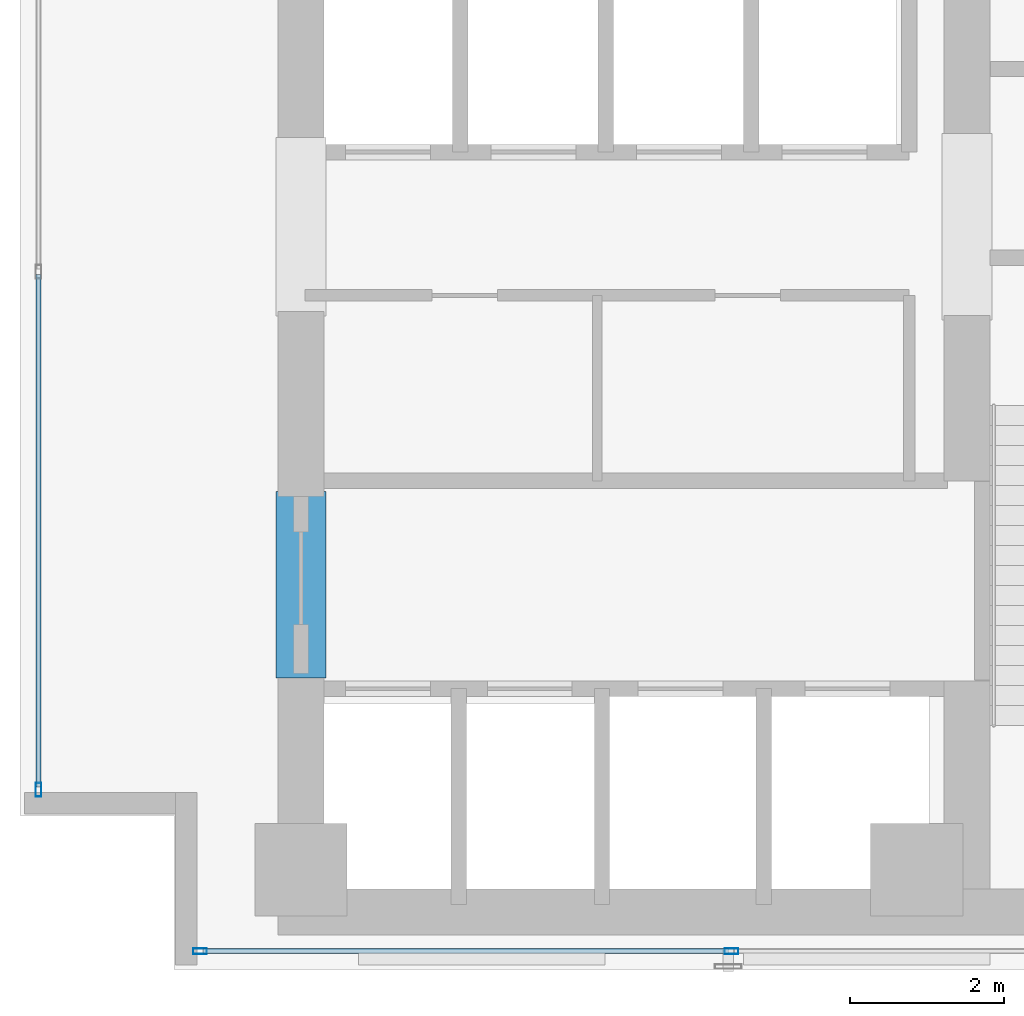
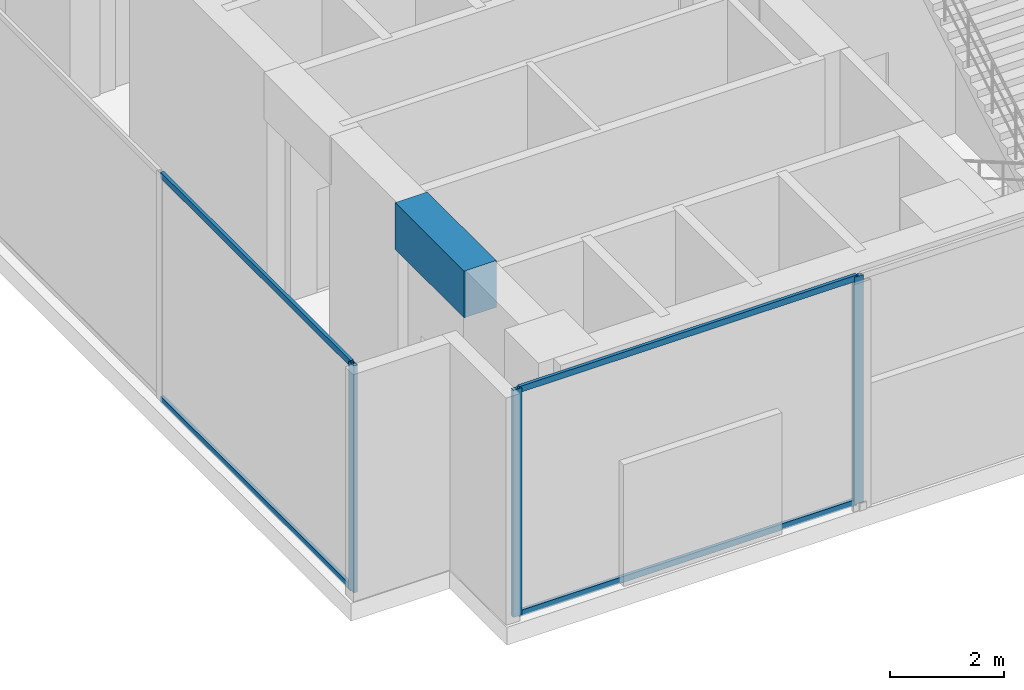
# One storey, part 2 of 36: 7 members, 1 beam, 2 elements without a shape of their own.
"""IFC4 building model written with IfcOpenShell, lengths in metres."""

from ifc_helpers import new_model, si_unit, direction, frame, origin, origin_with_axes, origin_2d, place, context, subcontext, project, spatial, rectangle, hollow_rectangle, extrude, source, transform, mapped, material, layer, layer_set, material_profile, profile_set, type_object, element, aggregate, save


model = new_model("IFC4")

# Units and contexts
model_context = context("Model", 3, precision=1e-05, world=origin(), true_north=direction((0.0, 1.0)))
body_context = subcontext(model_context, "Body", "Model", "MODEL_VIEW")
ifc_project = project(units=[si_unit("LENGTHUNIT", "METRE"), si_unit("AREAUNIT", "SQUARE_METRE"), si_unit("VOLUMEUNIT", "CUBIC_METRE"), si_unit("PLANEANGLEUNIT", "RADIAN"), si_unit("MASSUNIT", "GRAM", prefix="KILO")], contexts=[model_context])

# Site, building, storey
site_placement = place(None, origin())
site = spatial("IfcSite", under=ifc_project, at=site_placement, CompositionType="ELEMENT")
building_placement = place(site_placement, origin())
building = spatial("IfcBuilding", under=site, at=building_placement, Name="Kolvaren Waterfront Exchange", CompositionType="ELEMENT")
storey_placement = place(building_placement, frame((0.0, 0.0, 199.39990234375)))
storey = spatial("IfcBuildingStorey", under=building, at=storey_placement, Name="L51", CompositionType="ELEMENT", Elevation=199.39990234375)

# Beam
ifc_material_1 = material(Name="Concrete C60/75", Category="concrete")
ifc_material_profile_1 = material_profile(ifc_material_1, rectangle(XDim=0.64990234375, YDim=1.0, at=origin_2d()), Name="RC-CB-1000x650")
ifc_profile_set_1 = profile_set([ifc_material_profile_1], Name="Concrete C60/75")
beam_type = type_object("IfcBeamType", Name="STR-CB-1000", PredefinedType="SPANDREL", material=ifc_profile_set_1)
beam_placement = place(storey_placement, frame((7.449951171875, 7.389892578125, 4.360107421875), z_axis=(0.0, 1.0, 0.0), x_axis=(-1.0, 0.0, 0.0)))
element("IfcBeam", 1, at=beam_placement, inside=storey, type_object=beam_type, Name="L51 core coupling beam 3", PredefinedType="SPANDREL", context=body_context, shape_type="SweptSolid", body=[
    extrude(rectangle(XDim=0.64990234375, YDim=1.0, at=origin_2d()), origin(), (0.0, 0.0, 1.0), 2.420166015625),
])

# Curtain wall, members
ifc_material_2 = material(Name="Anodised dark bronze spandrel aluminium", Category="aluminium")
ifc_layer = layer(ifc_material_2, 0.219970703125, Name="Anodised dark bronze spandrel aluminium")
ifc_layer_set = layer_set([ifc_layer], Name="Anodised dark bronze spandrel aluminium")
curtain_wall_type = type_object("IfcCurtainWallType", Name="ARC-CW-SYS6", PredefinedType="USERDEFINED", material=ifc_layer_set)
curtain_wall_1_placement = place(storey_placement, origin())
curtain_wall_1 = element("IfcCurtainWall", 2, at=curtain_wall_1_placement, inside=storey, type_object=curtain_wall_type, Name="L51 stick curtain wall CW6 (CW-L51-S)", ObjectType="STICK CURTAIN WALL", PredefinedType="USERDEFINED")
ifc_material_3 = material(Name="Anodised bronze aluminium 6063-T6", Category="aluminium")
ifc_material_profile_2 = material_profile(ifc_material_3, hollow_rectangle(XDim=0.074951171875, YDim=0.179931640625, WallThickness=0.00439453125, at=origin_2d()), Name="ALU-MUL-180x75x4.5")
ifc_profile_set_2 = profile_set([ifc_material_profile_2], Name="Anodised bronze aluminium 6063-T6")
member_type_1 = type_object("IfcMemberType", Name="ARC-CWM-180", PredefinedType="MULLION", material=ifc_profile_set_2)
shared_shape_1 = source(origin_with_axes(), body_context, "Body", "SweptSolid", [
    extrude(hollow_rectangle(XDim=0.074951171875, YDim=0.179931640625, WallThickness=0.00439453125, at=origin_2d()), origin(), (0.0, 0.0, 1.0), 4.860107421875),
])
member_1_placement = place(storey_placement, frame((6.137451171875, 3.840087890625, 0.0), z_axis=(0.0, 0.0, 1.0), x_axis=(0.0, 1.0, 0.0)))
member_1 = element("IfcMember", 3, at=member_1_placement, type_object=member_type_1, Name="CW6 mullion 1", PredefinedType="MULLION", context=body_context, shape_type="MappedRepresentation", body=[
    mapped(shared_shape_1, transform((0.0, 0.0, 0.0), x_axis=(1.0, 0.0, 0.0), y_axis=(0.0, 1.0, 0.0), z_axis=(0.0, 0.0, 1.0), scale=1.0)),
])
member_2_placement = place(storey_placement, frame((13.04296875, 3.840087890625, 0.0), z_axis=(0.0, 0.0, 1.0), x_axis=(0.0, 1.0, 0.0)))
member_2 = element("IfcMember", 4, at=member_2_placement, type_object=member_type_1, Name="CW6 mullion 2", PredefinedType="MULLION", context=body_context, shape_type="MappedRepresentation", body=[
    mapped(shared_shape_1, transform((0.0, 0.0, 0.0), x_axis=(1.0, 0.0, 0.0), y_axis=(0.0, 1.0, 0.0), z_axis=(0.0, 0.0, 1.0), scale=1.0)),
])

# Curtain wall, member
curtain_wall_2_placement = place(storey_placement, origin())
curtain_wall_2 = element("IfcCurtainWall", 5, at=curtain_wall_2_placement, inside=storey, type_object=curtain_wall_type, Name="L51 stick curtain wall CW6 (CW-L51-W)", ObjectType="STICK CURTAIN WALL", PredefinedType="USERDEFINED")
member_3_placement = place(storey_placement, frame((4.0400390625, 5.9375, 0.0), z_axis=(0.0, 0.0, 1.0), x_axis=(-1.0, 0.0, 0.0)))
member_3 = element("IfcMember", 6, at=member_3_placement, type_object=member_type_1, Name="CW6 mullion 1", PredefinedType="MULLION", context=body_context, shape_type="MappedRepresentation", body=[
    mapped(shared_shape_1, transform((0.0, 0.0, 0.0), x_axis=(1.0, 0.0, 0.0), y_axis=(0.0, 1.0, 0.0), z_axis=(0.0, 0.0, 1.0), scale=1.0)),
])

# Member
ifc_material_profile_3 = material_profile(ifc_material_3, hollow_rectangle(XDim=0.06494140625, YDim=0.1298828125, WallThickness=0.00390625, at=origin_2d()), Name="ALU-TRN-130x65x4")
ifc_profile_set_3 = profile_set([ifc_material_profile_3], Name="Anodised bronze aluminium 6063-T6")
member_type_2 = type_object("IfcMemberType", Name="ARC-CWT-130", PredefinedType="USERDEFINED", material=ifc_profile_set_3)
shared_shape_2 = source(origin_with_axes(), body_context, "Body", "SweptSolid", [
    extrude(hollow_rectangle(XDim=0.06494140625, YDim=0.1298828125, WallThickness=0.00390625, at=origin_2d()), origin(), (0.0, 0.0, 1.0), 6.830322265625),
])
member_4_placement = place(storey_placement, frame((6.175048828125, 3.840087890625, 0.03271484375), z_axis=(1.0, 0.0, 0.0), x_axis=(0.0, 1.0, 0.0)))
member_4 = element("IfcMember", 7, at=member_4_placement, type_object=member_type_2, Name="CW6 transom 1.1", ObjectType="TRANSOM", PredefinedType="USERDEFINED", context=body_context, shape_type="MappedRepresentation", body=[
    mapped(shared_shape_2, transform((0.0, 0.0, 0.0), x_axis=(1.0, 0.0, 0.0), y_axis=(0.0, 1.0, 0.0), z_axis=(0.0, 0.0, 1.0), scale=1.0)),
])

member_5_placement = place(storey_placement, frame((6.175048828125, 3.840087890625, 4.82763671875), z_axis=(1.0, 0.0, 0.0), x_axis=(0.0, 1.0, 0.0)))
member_5 = element("IfcMember", 8, at=member_5_placement, type_object=member_type_2, Name="CW6 transom 1.2", ObjectType="TRANSOM", PredefinedType="USERDEFINED", context=body_context, shape_type="MappedRepresentation", body=[
    mapped(shared_shape_2, transform((0.0, 0.0, 0.0), x_axis=(1.0, 0.0, 0.0), y_axis=(0.0, 1.0, 0.0), z_axis=(0.0, 0.0, 1.0), scale=1.0)),
])

aggregate(curtain_wall_1, [member_1, member_2, member_4, member_5])

shared_shape_3 = source(origin_with_axes(), body_context, "Body", "SweptSolid", [
    extrude(hollow_rectangle(XDim=0.06494140625, YDim=0.1298828125, WallThickness=0.00390625, at=origin_2d()), origin(), (0.0, 0.0, 1.0), 6.654052734375),
])
member_6_placement = place(storey_placement, frame((4.0400390625, 5.97509765625, 0.03271484375), z_axis=(0.0, 1.0, 0.0), x_axis=(-1.0, 0.0, 0.0)))
member_6 = element("IfcMember", 9, at=member_6_placement, type_object=member_type_2, Name="CW6 transom 1.1", ObjectType="TRANSOM", PredefinedType="USERDEFINED", context=body_context, shape_type="MappedRepresentation", body=[
    mapped(shared_shape_3, transform((0.0, 0.0, 0.0), x_axis=(1.0, 0.0, 0.0), y_axis=(0.0, 1.0, 0.0), z_axis=(0.0, 0.0, 1.0), scale=1.0)),
])

member_7_placement = place(storey_placement, frame((4.0400390625, 5.97509765625, 4.82763671875), z_axis=(0.0, 1.0, 0.0), x_axis=(-1.0, 0.0, 0.0)))
member_7 = element("IfcMember", 10, at=member_7_placement, type_object=member_type_2, Name="CW6 transom 1.2", ObjectType="TRANSOM", PredefinedType="USERDEFINED", context=body_context, shape_type="MappedRepresentation", body=[
    mapped(shared_shape_3, transform((0.0, 0.0, 0.0), x_axis=(1.0, 0.0, 0.0), y_axis=(0.0, 1.0, 0.0), z_axis=(0.0, 0.0, 1.0), scale=1.0)),
])

aggregate(curtain_wall_2, [member_3, member_6, member_7])

save(model, "model.ifc")
